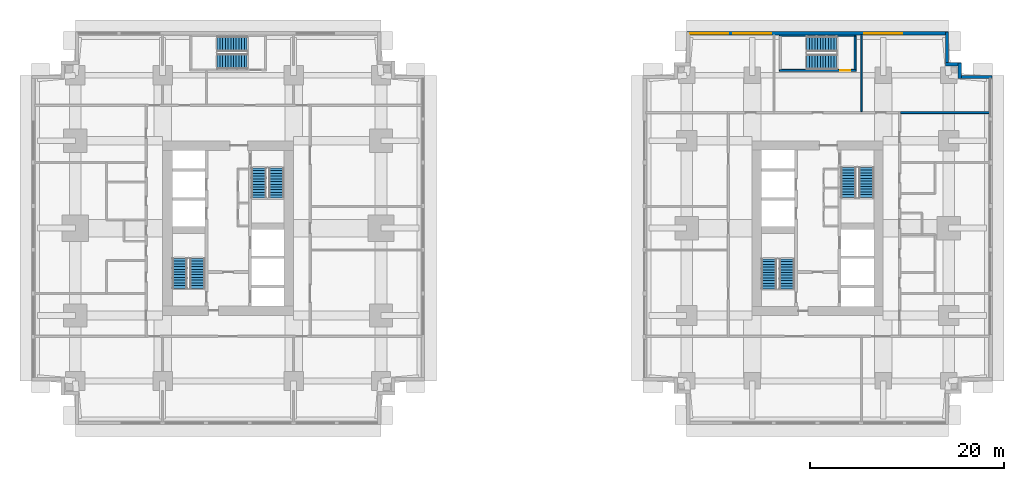
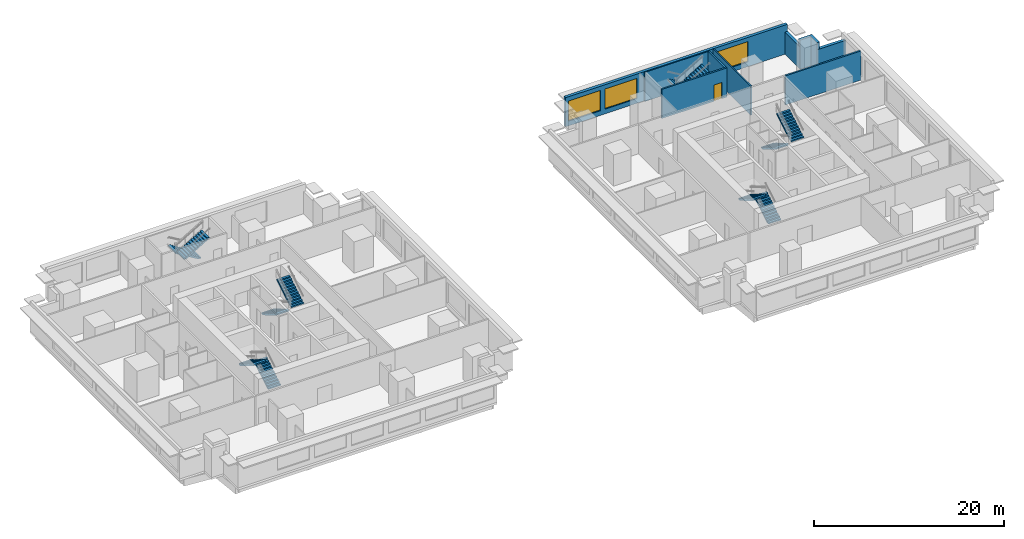
# One storey, part 8 of 11: 12 stair flights, 10 walls, 3 windows, 1 door, 4 openings, 6 elements without a shape of their own.
"""IFC4 building model written with IfcOpenShell, lengths in metres."""

from ifc_helpers import new_model, si_unit, direction, frame, frame_2d, origin, place, context, subcontext, project, spatial, polyline, rectangle, outline, extrude, material, layer, layer_set, type_object, element, fill, aggregate, save


model = new_model("IFC4")

# Units and contexts
model_context = context("Model", 3, precision=1e-05, world=origin(), true_north=direction((0.0, 1.0)))
body_context = subcontext(model_context, "Body", "Model", "MODEL_VIEW")
ifc_project = project(units=[si_unit("LENGTHUNIT", "METRE"), si_unit("AREAUNIT", "SQUARE_METRE"), si_unit("VOLUMEUNIT", "CUBIC_METRE"), si_unit("PLANEANGLEUNIT", "RADIAN"), si_unit("MASSUNIT", "GRAM", prefix="KILO")], contexts=[model_context])

# Site, building, storey
site_placement = place(None, origin())
site = spatial("IfcSite", under=ifc_project, at=site_placement, CompositionType="ELEMENT")
building_placement = place(site_placement, origin())
building = spatial("IfcBuilding", under=site, at=building_placement, Name="Namib Vertical Campus", CompositionType="ELEMENT")
storey_placement = place(building_placement, frame((0.0, 0.0, 49.0)))
storey = spatial("IfcBuildingStorey", under=building, at=storey_placement, Name="L11", CompositionType="ELEMENT", Elevation=49.0)

# Walls
ifc_material_1 = material(Name="Concrete masonry", Category="masonry")
ifc_layer_1 = layer(ifc_material_1, 0.199951171875)
ifc_layer_set_1 = layer_set([ifc_layer_1], Name="Corridor wall 200")
wall_type_1 = type_object("IfcWallType", Name="Corridor wall 200", PredefinedType="SOLIDWALL", material=ifc_layer_set_1)
wall_1_placement = place(storey_placement, frame((89.550048828125, 32.14990234375, 0.0), z_axis=(0.0, 0.0, 1.0), x_axis=(1.0, 0.0, 0.0)))
element("IfcWall", 1, at=wall_1_placement, inside=storey, type_object=wall_type_1, Name="Partition B L11 BNE", PredefinedType="SOLIDWALL", context=body_context, shape_type="SweptSolid", body=[
    extrude(rectangle(XDim=9.14990234375, YDim=0.199951171875, at=frame_2d((4.574951171875, 0.0))), origin(), (0.0, 0.0, 1.0), 3.75),
])
ifc_material_2 = material(Name="Concrete C40/50", Category="concrete")
ifc_layer_2 = layer(ifc_material_2, 0.35009765625)
ifc_layer_set_2 = layer_set([ifc_layer_2], Name="Concrete C40/50")
wall_type_2 = type_object("IfcWallType", Name="External wall 350 bush-hammered concrete", PredefinedType="STANDARD", material=ifc_layer_set_2)
wall_2_placement = place(storey_placement, frame((98.97998046875, 35.824951171875, 0.0), z_axis=(0.0, 0.0, 1.0), x_axis=(-1.0, 0.0, 0.0)))
element("IfcWall", 2, at=wall_2_placement, inside=storey, type_object=wall_type_2, Name="External wall L11 F07", PredefinedType="STANDARD", context=body_context, shape_type="SweptSolid", body=[
    extrude(rectangle(XDim=3.510009765625, YDim=0.35009765625, at=frame_2d((1.7548828125, 0.0))), origin(), (0.0, 0.0, 1.0), 2.85009765625),
])
for number, where, z_axis, x_axis, name in (
    (3, (95.625, 35.669921875, 0.0), (0.0, 0.0, 1.0), (0.0, 1.0, 0.0), "External wall L11 F08"),
    (4, (95.780029296875, 37.125, 0.0), (0.0, 0.0, 1.0), (-1.0, 0.0, 0.0), "External wall L11 F09"),
):
    element("IfcWall", number, at=place(storey_placement, frame(where, z_axis=z_axis, x_axis=x_axis)), inside=storey, type_object=wall_type_2, Name=name, PredefinedType="STANDARD", context=body_context, shape_type="SweptSolid", body=[
        extrude(rectangle(XDim=1.610107421875, YDim=0.35009765625, at=frame_2d((0.80517578125, 0.0))), origin(), (0.0, 0.0, 1.0), 3.75),
    ])
wall_3_placement = place(storey_placement, frame((94.324951171875, 36.969970703125, 0.0), z_axis=(0.0, 0.0, 1.0), x_axis=(0.0, 1.0, 0.0)))
element("IfcWall", 5, at=wall_3_placement, inside=storey, type_object=wall_type_2, Name="External wall L11 F10", PredefinedType="STANDARD", context=body_context, shape_type="SweptSolid", body=[
    extrude(rectangle(XDim=3.510009765625, YDim=0.35009765625, at=frame_2d((1.7548828125, 0.0))), origin(), (0.0, 0.0, 1.0), 2.85009765625),
])

# Wall, openings, windows
wall_4_placement = place(storey_placement, frame((94.47998046875, 40.324951171875, 0.0), z_axis=(0.0, 0.0, 1.0), x_axis=(-1.0, 0.0, 0.0)))
wall_4 = element("IfcWall", 6, at=wall_4_placement, inside=storey, type_object=wall_type_2, Name="External wall L11 F11", PredefinedType="STANDARD", context=body_context, shape_type="SweptSolid", body=[
    extrude(rectangle(XDim=26.9599609375, YDim=0.35009765625, at=frame_2d((13.47998046875, 0.0))), origin(), (0.0, 0.0, 1.0), 3.75),
])
opening_1_placement = place(wall_4_placement, frame((22.7099609375, 0.0, 0.60009765625)))
opening_1 = element("IfcOpeningElement", 7, at=opening_1_placement, cuts=wall_4, Name="Opening W2", PredefinedType="OPENING", context=body_context, shape_type="SweptSolid", body=[
    extrude(rectangle(XDim=3.89990234375, YDim=2.60009765625, at=frame_2d((1.949951171875, 1.300048828125))), frame((0.0, 0.18505859375, 0.0), z_axis=(0.0, -1.0, 0.0), x_axis=(1.0, 0.0, 0.0)), (0.0, 0.0, 1.0), 0.3701171875),
])
opening_2_placement = place(wall_4_placement, frame((18.280029296875, 0.0, 0.60009765625)))
opening_2 = element("IfcOpeningElement", 8, at=opening_2_placement, cuts=wall_4, Name="Opening W2", PredefinedType="OPENING", context=body_context, shape_type="SweptSolid", body=[
    extrude(rectangle(XDim=3.89990234375, YDim=2.60009765625, at=frame_2d((1.949951171875, 1.300048828125))), frame((0.0, 0.18505859375, 0.0), z_axis=(0.0, -1.0, 0.0), x_axis=(1.0, 0.0, 0.0)), (0.0, 0.0, 1.0), 0.3701171875),
])
opening_3_placement = place(wall_4_placement, frame((4.780029296875, 0.0, 0.60009765625)))
opening_3 = element("IfcOpeningElement", 9, at=opening_3_placement, cuts=wall_4, Name="Opening W2", PredefinedType="OPENING", context=body_context, shape_type="SweptSolid", body=[
    extrude(rectangle(XDim=3.89990234375, YDim=2.60009765625, at=frame_2d((1.949951171875, 1.300048828125))), frame((0.0, 0.18505859375, 0.0), z_axis=(0.0, -1.0, 0.0), x_axis=(1.0, 0.0, 0.0)), (0.0, 0.0, 1.0), 0.3701171875),
])
ifc_material_3 = material(Name="Dark tinted glass in black aluminium frame", Category="aluminium")
window_type = type_object("IfcWindowType", Name="Ribbon window 3900x2600", PartitioningType="SINGLE_PANEL", PredefinedType="WINDOW", material=ifc_material_3)
window_1_placement = place(opening_1_placement, origin())
window_1 = element("IfcWindow", 10, at=window_1_placement, inside=storey, type_object=window_type, Name="Window W2 L11 F11-1", OverallHeight=2.60009765625, OverallWidth=3.89990234375, PartitioningType="SINGLE_PANEL", PredefinedType="WINDOW", context=body_context, shape_type="SweptSolid", body=[
    extrude(rectangle(XDim=3.89990234375, YDim=2.60009765625, at=frame_2d((1.949951171875, 1.300048828125))), frame((0.0, 0.030029296875, 0.0), z_axis=(0.0, -1.0, 0.0), x_axis=(1.0, 0.0, 0.0)), (0.0, 0.0, 1.0), 0.06005859375),
])
fill(opening_1, window_1)
window_2_placement = place(opening_2_placement, origin())
window_2 = element("IfcWindow", 11, at=window_2_placement, inside=storey, type_object=window_type, Name="Window W2 L11 F11-2", OverallHeight=2.60009765625, OverallWidth=3.89990234375, PartitioningType="SINGLE_PANEL", PredefinedType="WINDOW", context=body_context, shape_type="SweptSolid", body=[
    extrude(rectangle(XDim=3.89990234375, YDim=2.60009765625, at=frame_2d((1.949951171875, 1.300048828125))), frame((0.0, 0.030029296875, 0.0), z_axis=(0.0, -1.0, 0.0), x_axis=(1.0, 0.0, 0.0)), (0.0, 0.0, 1.0), 0.06005859375),
])
fill(opening_2, window_2)
window_3_placement = place(opening_3_placement, origin())
window_3 = element("IfcWindow", 12, at=window_3_placement, inside=storey, type_object=window_type, Name="Window W2 L11 F11-5", OverallHeight=2.60009765625, OverallWidth=3.89990234375, PartitioningType="SINGLE_PANEL", PredefinedType="WINDOW", context=body_context, shape_type="SweptSolid", body=[
    extrude(rectangle(XDim=3.89990234375, YDim=2.60009765625, at=frame_2d((1.949951171875, 1.300048828125))), frame((0.0, 0.030029296875, 0.0), z_axis=(0.0, -1.0, 0.0), x_axis=(1.0, 0.0, 0.0)), (0.0, 0.0, 1.0), 0.06005859375),
])
fill(opening_3, window_3)

# Walls
ifc_material_4 = material(Name="Gypsum board on steel studs", Category="steel")
ifc_layer_3 = layer(ifc_material_4, 0.14990234375)
ifc_layer_set_3 = layer_set([ifc_layer_3], Name="Gypsum board on steel studs")
wall_type_3 = type_object("IfcWallType", Name="Partition 150", PredefinedType="PARTITIONING", material=ifc_layer_set_3)
wall_5_placement = place(storey_placement, frame((85.5, 32.25, 0.0), z_axis=(0.0, 0.0, 1.0), x_axis=(0.0, 1.0, 0.0)))
element("IfcWall", 13, at=wall_5_placement, inside=storey, type_object=wall_type_3, Name="Partition B L11 PN2", PredefinedType="PARTITIONING", context=body_context, shape_type="SweptSolid", body=[
    extrude(rectangle(XDim=7.949951171875, YDim=0.14990234375, at=frame_2d((3.97509765625, 0.0))), origin(), (0.0, 0.0, 1.0), 3.75),
])
ifc_material_5 = material(Name="Concrete C40/50", Category="concrete")
ifc_layer_4 = layer(ifc_material_5, 0.14990234375)
ifc_layer_set_4 = layer_set([ifc_layer_4], Name="Concrete C40/50")
wall_type_4 = type_object("IfcWallType", Name="Stair enclosure wall RC 150", PredefinedType="SOLIDWALL", material=ifc_layer_set_4)
wall_6_placement = place(storey_placement, frame((77.050048828125, 40.074951171875, 0.0), z_axis=(0.0, 0.0, 1.0), x_axis=(1.0, 0.0, 0.0)))
element("IfcWall", 14, at=wall_6_placement, inside=storey, type_object=wall_type_4, Name="Stair enclosure wall B-S3 L11 N", PredefinedType="SOLIDWALL", context=body_context, shape_type="SweptSolid", body=[
    extrude(rectangle(XDim=7.89990234375, YDim=0.14990234375, at=frame_2d((3.949951171875, 0.0))), origin(), (0.0, 0.0, 1.0), 3.75),
])

# Wall, opening, door
ifc_material_6 = material(Name="Concrete C40/50", Category="concrete")
ifc_layer_5 = layer(ifc_material_6, 0.199951171875)
ifc_layer_set_5 = layer_set([ifc_layer_5], Name="Concrete C40/50")
wall_type_5 = type_object("IfcWallType", Name="Stair enclosure wall RC 200", PredefinedType="SOLIDWALL", material=ifc_layer_set_5)
wall_7_placement = place(storey_placement, frame((77.050048828125, 36.5, 0.0), z_axis=(0.0, 0.0, 1.0), x_axis=(1.0, 0.0, 0.0)))
wall_7 = element("IfcWall", 15, at=wall_7_placement, inside=storey, type_object=wall_type_5, Name="Stair enclosure wall B-S3 L11 S", PredefinedType="SOLIDWALL", context=body_context, shape_type="SweptSolid", body=[
    extrude(rectangle(XDim=7.89990234375, YDim=0.199951171875, at=frame_2d((3.949951171875, 0.0))), origin(), (0.0, 0.0, 1.0), 3.75),
])
opening_4_placement = place(wall_7_placement, frame((6.300048828125, 0.0, 0.0)))
opening_4 = element("IfcOpeningElement", 16, at=opening_4_placement, cuts=wall_7, Name="Opening FD1", PredefinedType="OPENING", context=body_context, shape_type="SweptSolid", body=[
    extrude(rectangle(XDim=1.0, YDim=2.10009765625, at=frame_2d((0.5, 1.050048828125))), frame((0.0, 0.10986328125, 0.0), z_axis=(0.0, -1.0, 0.0), x_axis=(1.0, 0.0, 0.0)), (0.0, 0.0, 1.0), 0.219970703125),
])
ifc_material_7 = material(Name="Steel fire door", Category="steel")
door_type = type_object("IfcDoorType", Name="Fire door 1000x2100", OperationType="SINGLE_SWING_RIGHT", PredefinedType="DOOR", material=ifc_material_7)
door_placement = place(opening_4_placement, origin())
door = element("IfcDoor", 17, at=door_placement, inside=storey, type_object=door_type, Name="Stair door FD1 B L11 S3", OperationType="SINGLE_SWING_RIGHT", OverallHeight=2.10009765625, OverallWidth=1.0, PredefinedType="DOOR", context=body_context, shape_type="SweptSolid", body=[
    extrude(rectangle(XDim=1.0, YDim=2.10009765625, at=frame_2d((0.5, 1.050048828125))), frame((0.0, 0.02490234375, 0.0), z_axis=(0.0, -1.0, 0.0), x_axis=(1.0, 0.0, 0.0)), (0.0, 0.0, 1.0), 0.050048828125),
])
fill(opening_4, door)

# Wall
wall_8_placement = place(storey_placement, frame((84.85009765625, 36.60009765625, 0.0), z_axis=(0.0, 0.0, 1.0), x_axis=(0.0, 1.0, 0.0)))
element("IfcWall", 18, at=wall_8_placement, inside=storey, type_object=wall_type_5, Name="Stair enclosure wall B-S3 L11 E", PredefinedType="SOLIDWALL", context=body_context, shape_type="SweptSolid", body=[
    extrude(rectangle(XDim=3.39990234375, YDim=0.199951171875, at=frame_2d((1.699951171875, 0.0))), origin(), (0.0, 0.0, 1.0), 3.75),
])

# Stair, stair flights
ifc_material_8 = material(Name="Concrete C40/50 precast", Category="concrete")
stair_type_1 = type_object("IfcStairType", Name="Exit stair 4000 rise 24 risers 3350 wide", PredefinedType="HALF_TURN_STAIR", material=ifc_material_8)
stair_1_placement = place(storey_placement, origin())
stair_1 = element("IfcStair", 19, at=stair_1_placement, inside=storey, type_object=stair_type_1, Name="Exit stair A-S1 L11", PredefinedType="HALF_TURN_STAIR")
ifc_material_9 = material(Name="Concrete C40/50 precast", Category="concrete")
stair_flight_type_1 = type_object("IfcStairFlightType", Name="Stair flight 12 risers 167 1525 wide", PredefinedType="STRAIGHT", material=ifc_material_9)
stair_flight_1_placement = place(storey_placement, frame((17.08740234375, 14.050048828125, 0.0), z_axis=(0.0, 0.0, 1.0), x_axis=(0.0, 1.0, 0.0)))
stair_flight_1 = element("IfcStairFlight", 20, at=stair_flight_1_placement, type_object=stair_flight_type_1, Name="A-S1 flight 1", NumberOfRisers=12, NumberOfTreads=11, PredefinedType="STRAIGHT", RiserHeight=0.166666667, TreadLength=0.28, context=body_context, shape_type="SweptSolid", body=[
    extrude(outline(polyline([(0.0, 0.0), (0.0, 0.166748046875), (0.280029296875, 0.166748046875), (0.280029296875, 0.333251953125), (0.56005859375, 0.333251953125), (0.56005859375, 0.5), (0.840087890625, 0.5), (0.840087890625, 0.666748046875), (1.1201171875, 0.666748046875), (1.1201171875, 0.833251953125), (1.39990234375, 0.833251953125), (1.39990234375, 1.0), (1.679931640625, 1.0), (1.679931640625, 1.166748046875), (1.9599609375, 1.166748046875), (1.9599609375, 1.333251953125), (2.239990234375, 1.333251953125), (2.239990234375, 1.5), (2.52001953125, 1.5), (2.52001953125, 1.666748046875), (2.800048828125, 1.666748046875), (2.800048828125, 1.833251953125), (3.080078125, 1.833251953125), (3.080078125, 2.0), (3.080078125, 1.658935546875), (0.29296875, 0.0), (0.0, 0.0)])), frame((0.0, 0.762451171875, 0.0), z_axis=(0.0, -1.0, 0.0), x_axis=(1.0, 0.0, 0.0)), (0.0, 0.0, 1.0), 1.52490234375),
])
stair_flight_2_placement = place(storey_placement, frame((15.262451171875, 17.1298828125, 2.0), z_axis=(0.0, 0.0, 1.0), x_axis=(0.0, -1.0, 0.0)))
stair_flight_2 = element("IfcStairFlight", 21, at=stair_flight_2_placement, type_object=stair_flight_type_1, Name="A-S1 flight 2", NumberOfRisers=12, NumberOfTreads=11, PredefinedType="STRAIGHT", RiserHeight=0.166666667, TreadLength=0.28, context=body_context, shape_type="SweptSolid", body=[
    extrude(outline(polyline([(0.0, 0.0), (0.0, 0.166748046875), (0.280029296875, 0.166748046875), (0.280029296875, 0.333251953125), (0.56005859375, 0.333251953125), (0.56005859375, 0.5), (0.840087890625, 0.5), (0.840087890625, 0.666748046875), (1.1201171875, 0.666748046875), (1.1201171875, 0.833251953125), (1.39990234375, 0.833251953125), (1.39990234375, 1.0), (1.679931640625, 1.0), (1.679931640625, 1.166748046875), (1.9599609375, 1.166748046875), (1.9599609375, 1.333251953125), (2.239990234375, 1.333251953125), (2.239990234375, 1.5), (2.52001953125, 1.5), (2.52001953125, 1.666748046875), (2.800048828125, 1.666748046875), (2.800048828125, 1.833251953125), (3.080078125, 1.833251953125), (3.080078125, 2.0), (3.080078125, 1.658935546875), (0.29296875, 0.0), (0.0, 0.0)])), frame((0.0, 0.762451171875, 0.0), z_axis=(0.0, -1.0, 0.0), x_axis=(1.0, 0.0, 0.0)), (0.0, 0.0, 1.0), 1.52490234375),
])
aggregate(stair_1, [stair_flight_1, stair_flight_2])

stair_2_placement = place(storey_placement, origin())
stair_2 = element("IfcStair", 22, at=stair_2_placement, inside=storey, type_object=stair_type_1, Name="Exit stair A-S2 L11", PredefinedType="HALF_TURN_STAIR")
stair_flight_3_placement = place(storey_placement, frame((23.41259765625, 26.449951171875, 0.0), z_axis=(0.0, 0.0, 1.0), x_axis=(0.0, -1.0, 0.0)))
stair_flight_3 = element("IfcStairFlight", 23, at=stair_flight_3_placement, type_object=stair_flight_type_1, Name="A-S2 flight 1", NumberOfRisers=12, NumberOfTreads=11, PredefinedType="STRAIGHT", RiserHeight=0.166666667, TreadLength=0.28, context=body_context, shape_type="SweptSolid", body=[
    extrude(outline(polyline([(0.0, 0.0), (0.0, 0.166748046875), (0.280029296875, 0.166748046875), (0.280029296875, 0.333251953125), (0.56005859375, 0.333251953125), (0.56005859375, 0.5), (0.840087890625, 0.5), (0.840087890625, 0.666748046875), (1.1201171875, 0.666748046875), (1.1201171875, 0.833251953125), (1.39990234375, 0.833251953125), (1.39990234375, 1.0), (1.679931640625, 1.0), (1.679931640625, 1.166748046875), (1.9599609375, 1.166748046875), (1.9599609375, 1.333251953125), (2.239990234375, 1.333251953125), (2.239990234375, 1.5), (2.52001953125, 1.5), (2.52001953125, 1.666748046875), (2.800048828125, 1.666748046875), (2.800048828125, 1.833251953125), (3.080078125, 1.833251953125), (3.080078125, 2.0), (3.080078125, 1.658935546875), (0.29296875, 0.0), (0.0, 0.0)])), frame((0.0, 0.762451171875, 0.0), z_axis=(0.0, -1.0, 0.0), x_axis=(1.0, 0.0, 0.0)), (0.0, 0.0, 1.0), 1.52490234375),
])
stair_flight_4_placement = place(storey_placement, frame((25.237548828125, 23.3701171875, 2.0), z_axis=(0.0, 0.0, 1.0), x_axis=(0.0, 1.0, 0.0)))
stair_flight_4 = element("IfcStairFlight", 24, at=stair_flight_4_placement, type_object=stair_flight_type_1, Name="A-S2 flight 2", NumberOfRisers=12, NumberOfTreads=11, PredefinedType="STRAIGHT", RiserHeight=0.166666667, TreadLength=0.28, context=body_context, shape_type="SweptSolid", body=[
    extrude(outline(polyline([(0.0, 0.0), (0.0, 0.166748046875), (0.280029296875, 0.166748046875), (0.280029296875, 0.333251953125), (0.56005859375, 0.333251953125), (0.56005859375, 0.5), (0.840087890625, 0.5), (0.840087890625, 0.666748046875), (1.1201171875, 0.666748046875), (1.1201171875, 0.833251953125), (1.39990234375, 0.833251953125), (1.39990234375, 1.0), (1.679931640625, 1.0), (1.679931640625, 1.166748046875), (1.9599609375, 1.166748046875), (1.9599609375, 1.333251953125), (2.239990234375, 1.333251953125), (2.239990234375, 1.5), (2.52001953125, 1.5), (2.52001953125, 1.666748046875), (2.800048828125, 1.666748046875), (2.800048828125, 1.833251953125), (3.080078125, 1.833251953125), (3.080078125, 2.0), (3.080078125, 1.658935546875), (0.29296875, 0.0), (0.0, 0.0)])), frame((0.0, 0.762451171875, 0.0), z_axis=(0.0, -1.0, 0.0), x_axis=(1.0, 0.0, 0.0)), (0.0, 0.0, 1.0), 1.52490234375),
])
aggregate(stair_2, [stair_flight_3, stair_flight_4])

stair_3_placement = place(storey_placement, origin())
stair_3 = element("IfcStair", 25, at=stair_3_placement, inside=storey, type_object=stair_type_1, Name="Exit stair A-S3 L11", PredefinedType="HALF_TURN_STAIR")
stair_flight_5_placement = place(storey_placement, frame((22.199951171875, 39.237548828125, 0.0), z_axis=(0.0, 0.0, 1.0), x_axis=(-1.0, 0.0, 0.0)))
stair_flight_5 = element("IfcStairFlight", 26, at=stair_flight_5_placement, type_object=stair_flight_type_1, Name="A-S3 flight 1", NumberOfRisers=12, NumberOfTreads=11, PredefinedType="STRAIGHT", RiserHeight=0.166666667, TreadLength=0.28, context=body_context, shape_type="SweptSolid", body=[
    extrude(outline(polyline([(0.0, 0.0), (0.0, 0.166748046875), (0.280029296875, 0.166748046875), (0.280029296875, 0.333251953125), (0.56005859375, 0.333251953125), (0.56005859375, 0.5), (0.840087890625, 0.5), (0.840087890625, 0.666748046875), (1.1201171875, 0.666748046875), (1.1201171875, 0.833251953125), (1.39990234375, 0.833251953125), (1.39990234375, 1.0), (1.679931640625, 1.0), (1.679931640625, 1.166748046875), (1.9599609375, 1.166748046875), (1.9599609375, 1.333251953125), (2.239990234375, 1.333251953125), (2.239990234375, 1.5), (2.52001953125, 1.5), (2.52001953125, 1.666748046875), (2.800048828125, 1.666748046875), (2.800048828125, 1.833251953125), (3.080078125, 1.833251953125), (3.080078125, 2.0), (3.080078125, 1.658935546875), (0.29296875, 0.0), (0.0, 0.0)])), frame((0.0, 0.762451171875, 0.0), z_axis=(0.0, -1.0, 0.0), x_axis=(1.0, 0.0, 0.0)), (0.0, 0.0, 1.0), 1.52490234375),
])
stair_flight_6_placement = place(storey_placement, frame((19.1201171875, 37.41259765625, 2.0), z_axis=(0.0, 0.0, 1.0), x_axis=(1.0, 0.0, 0.0)))
stair_flight_6 = element("IfcStairFlight", 27, at=stair_flight_6_placement, type_object=stair_flight_type_1, Name="A-S3 flight 2", NumberOfRisers=12, NumberOfTreads=11, PredefinedType="STRAIGHT", RiserHeight=0.166666667, TreadLength=0.28, context=body_context, shape_type="SweptSolid", body=[
    extrude(outline(polyline([(0.0, 0.0), (0.0, 0.166748046875), (0.280029296875, 0.166748046875), (0.280029296875, 0.333251953125), (0.56005859375, 0.333251953125), (0.56005859375, 0.5), (0.840087890625, 0.5), (0.840087890625, 0.666748046875), (1.1201171875, 0.666748046875), (1.1201171875, 0.833251953125), (1.39990234375, 0.833251953125), (1.39990234375, 1.0), (1.679931640625, 1.0), (1.679931640625, 1.166748046875), (1.9599609375, 1.166748046875), (1.9599609375, 1.333251953125), (2.239990234375, 1.333251953125), (2.239990234375, 1.5), (2.52001953125, 1.5), (2.52001953125, 1.666748046875), (2.800048828125, 1.666748046875), (2.800048828125, 1.833251953125), (3.080078125, 1.833251953125), (3.080078125, 2.0), (3.080078125, 1.658935546875), (0.29296875, 0.0), (0.0, 0.0)])), frame((0.0, 0.762451171875, 0.0), z_axis=(0.0, -1.0, 0.0), x_axis=(1.0, 0.0, 0.0)), (0.0, 0.0, 1.0), 1.52490234375),
])
aggregate(stair_3, [stair_flight_5, stair_flight_6])

ifc_material_10 = material(Name="Concrete C40/50 precast", Category="concrete")
stair_type_2 = type_object("IfcStairType", Name="Exit stair 4000 rise 24 risers 3400 wide", PredefinedType="HALF_TURN_STAIR", material=ifc_material_10)
stair_4_placement = place(storey_placement, origin())
stair_4 = element("IfcStair", 28, at=stair_4_placement, inside=storey, type_object=stair_type_2, Name="Exit stair B-S1 L11", PredefinedType="HALF_TURN_STAIR")
ifc_material_11 = material(Name="Concrete C40/50 precast", Category="concrete")
stair_flight_type_2 = type_object("IfcStairFlightType", Name="Stair flight 12 risers 167 1550 wide", PredefinedType="STRAIGHT", material=ifc_material_11)
stair_flight_7_placement = place(storey_placement, frame((77.824951171875, 14.0, 0.0), z_axis=(0.0, 0.0, 1.0), x_axis=(0.0, 1.0, 0.0)))
stair_flight_7 = element("IfcStairFlight", 29, at=stair_flight_7_placement, type_object=stair_flight_type_2, Name="B-S1 flight 1", NumberOfRisers=12, NumberOfTreads=11, PredefinedType="STRAIGHT", RiserHeight=0.166666667, TreadLength=0.28, context=body_context, shape_type="SweptSolid", body=[
    extrude(outline(polyline([(0.0, 0.0), (0.0, 0.166748046875), (0.280029296875, 0.166748046875), (0.280029296875, 0.333251953125), (0.56005859375, 0.333251953125), (0.56005859375, 0.5), (0.840087890625, 0.5), (0.840087890625, 0.666748046875), (1.1201171875, 0.666748046875), (1.1201171875, 0.833251953125), (1.39990234375, 0.833251953125), (1.39990234375, 1.0), (1.679931640625, 1.0), (1.679931640625, 1.166748046875), (1.9599609375, 1.166748046875), (1.9599609375, 1.333251953125), (2.239990234375, 1.333251953125), (2.239990234375, 1.5), (2.52001953125, 1.5), (2.52001953125, 1.666748046875), (2.800048828125, 1.666748046875), (2.800048828125, 1.833251953125), (3.080078125, 1.833251953125), (3.080078125, 2.0), (3.080078125, 1.658935546875), (0.29296875, 0.0), (0.0, 0.0)])), frame((0.0, 0.77490234375, 0.0), z_axis=(0.0, -1.0, 0.0), x_axis=(1.0, 0.0, 0.0)), (0.0, 0.0, 1.0), 1.550048828125),
])
stair_flight_8_placement = place(storey_placement, frame((75.97509765625, 17.080078125, 2.0), z_axis=(0.0, 0.0, 1.0), x_axis=(0.0, -1.0, 0.0)))
stair_flight_8 = element("IfcStairFlight", 30, at=stair_flight_8_placement, type_object=stair_flight_type_2, Name="B-S1 flight 2", NumberOfRisers=12, NumberOfTreads=11, PredefinedType="STRAIGHT", RiserHeight=0.166666667, TreadLength=0.28, context=body_context, shape_type="SweptSolid", body=[
    extrude(outline(polyline([(0.0, 0.0), (0.0, 0.166748046875), (0.280029296875, 0.166748046875), (0.280029296875, 0.333251953125), (0.56005859375, 0.333251953125), (0.56005859375, 0.5), (0.840087890625, 0.5), (0.840087890625, 0.666748046875), (1.1201171875, 0.666748046875), (1.1201171875, 0.833251953125), (1.39990234375, 0.833251953125), (1.39990234375, 1.0), (1.679931640625, 1.0), (1.679931640625, 1.166748046875), (1.9599609375, 1.166748046875), (1.9599609375, 1.333251953125), (2.239990234375, 1.333251953125), (2.239990234375, 1.5), (2.52001953125, 1.5), (2.52001953125, 1.666748046875), (2.800048828125, 1.666748046875), (2.800048828125, 1.833251953125), (3.080078125, 1.833251953125), (3.080078125, 2.0), (3.080078125, 1.658935546875), (0.29296875, 0.0), (0.0, 0.0)])), frame((0.0, 0.77490234375, 0.0), z_axis=(0.0, -1.0, 0.0), x_axis=(1.0, 0.0, 0.0)), (0.0, 0.0, 1.0), 1.550048828125),
])
aggregate(stair_4, [stair_flight_7, stair_flight_8])

stair_5_placement = place(storey_placement, origin())
stair_5 = element("IfcStair", 31, at=stair_5_placement, inside=storey, type_object=stair_type_2, Name="Exit stair B-S2 L11", PredefinedType="HALF_TURN_STAIR")
stair_flight_9_placement = place(storey_placement, frame((84.175048828125, 26.5, 0.0), z_axis=(0.0, 0.0, 1.0), x_axis=(0.0, -1.0, 0.0)))
stair_flight_9 = element("IfcStairFlight", 32, at=stair_flight_9_placement, type_object=stair_flight_type_2, Name="B-S2 flight 1", NumberOfRisers=12, NumberOfTreads=11, PredefinedType="STRAIGHT", RiserHeight=0.166666667, TreadLength=0.28, context=body_context, shape_type="SweptSolid", body=[
    extrude(outline(polyline([(0.0, 0.0), (0.0, 0.166748046875), (0.280029296875, 0.166748046875), (0.280029296875, 0.333251953125), (0.56005859375, 0.333251953125), (0.56005859375, 0.5), (0.840087890625, 0.5), (0.840087890625, 0.666748046875), (1.1201171875, 0.666748046875), (1.1201171875, 0.833251953125), (1.39990234375, 0.833251953125), (1.39990234375, 1.0), (1.679931640625, 1.0), (1.679931640625, 1.166748046875), (1.9599609375, 1.166748046875), (1.9599609375, 1.333251953125), (2.239990234375, 1.333251953125), (2.239990234375, 1.5), (2.52001953125, 1.5), (2.52001953125, 1.666748046875), (2.800048828125, 1.666748046875), (2.800048828125, 1.833251953125), (3.080078125, 1.833251953125), (3.080078125, 2.0), (3.080078125, 1.658935546875), (0.29296875, 0.0), (0.0, 0.0)])), frame((0.0, 0.77490234375, 0.0), z_axis=(0.0, -1.0, 0.0), x_axis=(1.0, 0.0, 0.0)), (0.0, 0.0, 1.0), 1.550048828125),
])
stair_flight_10_placement = place(storey_placement, frame((86.02490234375, 23.419921875, 2.0), z_axis=(0.0, 0.0, 1.0), x_axis=(0.0, 1.0, 0.0)))
stair_flight_10 = element("IfcStairFlight", 33, at=stair_flight_10_placement, type_object=stair_flight_type_2, Name="B-S2 flight 2", NumberOfRisers=12, NumberOfTreads=11, PredefinedType="STRAIGHT", RiserHeight=0.166666667, TreadLength=0.28, context=body_context, shape_type="SweptSolid", body=[
    extrude(outline(polyline([(0.0, 0.0), (0.0, 0.166748046875), (0.280029296875, 0.166748046875), (0.280029296875, 0.333251953125), (0.56005859375, 0.333251953125), (0.56005859375, 0.5), (0.840087890625, 0.5), (0.840087890625, 0.666748046875), (1.1201171875, 0.666748046875), (1.1201171875, 0.833251953125), (1.39990234375, 0.833251953125), (1.39990234375, 1.0), (1.679931640625, 1.0), (1.679931640625, 1.166748046875), (1.9599609375, 1.166748046875), (1.9599609375, 1.333251953125), (2.239990234375, 1.333251953125), (2.239990234375, 1.5), (2.52001953125, 1.5), (2.52001953125, 1.666748046875), (2.800048828125, 1.666748046875), (2.800048828125, 1.833251953125), (3.080078125, 1.833251953125), (3.080078125, 2.0), (3.080078125, 1.658935546875), (0.29296875, 0.0), (0.0, 0.0)])), frame((0.0, 0.77490234375, 0.0), z_axis=(0.0, -1.0, 0.0), x_axis=(1.0, 0.0, 0.0)), (0.0, 0.0, 1.0), 1.550048828125),
])
aggregate(stair_5, [stair_flight_9, stair_flight_10])

stair_6_placement = place(storey_placement, origin())
stair_6 = element("IfcStair", 34, at=stair_6_placement, inside=storey, type_object=stair_type_2, Name="Exit stair B-S3 L11", PredefinedType="HALF_TURN_STAIR")
stair_flight_11_placement = place(storey_placement, frame((82.949951171875, 39.22509765625, 0.0), z_axis=(0.0, 0.0, 1.0), x_axis=(-1.0, 0.0, 0.0)))
stair_flight_11 = element("IfcStairFlight", 35, at=stair_flight_11_placement, type_object=stair_flight_type_2, Name="B-S3 flight 1", NumberOfRisers=12, NumberOfTreads=11, PredefinedType="STRAIGHT", RiserHeight=0.166666667, TreadLength=0.28, context=body_context, shape_type="SweptSolid", body=[
    extrude(outline(polyline([(0.0, 0.0), (0.0, 0.166748046875), (0.280029296875, 0.166748046875), (0.280029296875, 0.333251953125), (0.56005859375, 0.333251953125), (0.56005859375, 0.5), (0.840087890625, 0.5), (0.840087890625, 0.666748046875), (1.1201171875, 0.666748046875), (1.1201171875, 0.833251953125), (1.39990234375, 0.833251953125), (1.39990234375, 1.0), (1.679931640625, 1.0), (1.679931640625, 1.166748046875), (1.9599609375, 1.166748046875), (1.9599609375, 1.333251953125), (2.239990234375, 1.333251953125), (2.239990234375, 1.5), (2.52001953125, 1.5), (2.52001953125, 1.666748046875), (2.800048828125, 1.666748046875), (2.800048828125, 1.833251953125), (3.080078125, 1.833251953125), (3.080078125, 2.0), (3.080078125, 1.658935546875), (0.29296875, 0.0), (0.0, 0.0)])), frame((0.0, 0.77490234375, 0.0), z_axis=(0.0, -1.0, 0.0), x_axis=(1.0, 0.0, 0.0)), (0.0, 0.0, 1.0), 1.550048828125),
])
stair_flight_12_placement = place(storey_placement, frame((79.8701171875, 37.375, 2.0), z_axis=(0.0, 0.0, 1.0), x_axis=(1.0, 0.0, 0.0)))
stair_flight_12 = element("IfcStairFlight", 36, at=stair_flight_12_placement, type_object=stair_flight_type_2, Name="B-S3 flight 2", NumberOfRisers=12, NumberOfTreads=11, PredefinedType="STRAIGHT", RiserHeight=0.166666667, TreadLength=0.28, context=body_context, shape_type="SweptSolid", body=[
    extrude(outline(polyline([(0.0, 0.0), (0.0, 0.166748046875), (0.280029296875, 0.166748046875), (0.280029296875, 0.333251953125), (0.56005859375, 0.333251953125), (0.56005859375, 0.5), (0.840087890625, 0.5), (0.840087890625, 0.666748046875), (1.1201171875, 0.666748046875), (1.1201171875, 0.833251953125), (1.39990234375, 0.833251953125), (1.39990234375, 1.0), (1.679931640625, 1.0), (1.679931640625, 1.166748046875), (1.9599609375, 1.166748046875), (1.9599609375, 1.333251953125), (2.239990234375, 1.333251953125), (2.239990234375, 1.5), (2.52001953125, 1.5), (2.52001953125, 1.666748046875), (2.800048828125, 1.666748046875), (2.800048828125, 1.833251953125), (3.080078125, 1.833251953125), (3.080078125, 2.0), (3.080078125, 1.658935546875), (0.29296875, 0.0), (0.0, 0.0)])), frame((0.0, 0.77490234375, 0.0), z_axis=(0.0, -1.0, 0.0), x_axis=(1.0, 0.0, 0.0)), (0.0, 0.0, 1.0), 1.550048828125),
])
aggregate(stair_6, [stair_flight_11, stair_flight_12])

save(model, "model.ifc")
